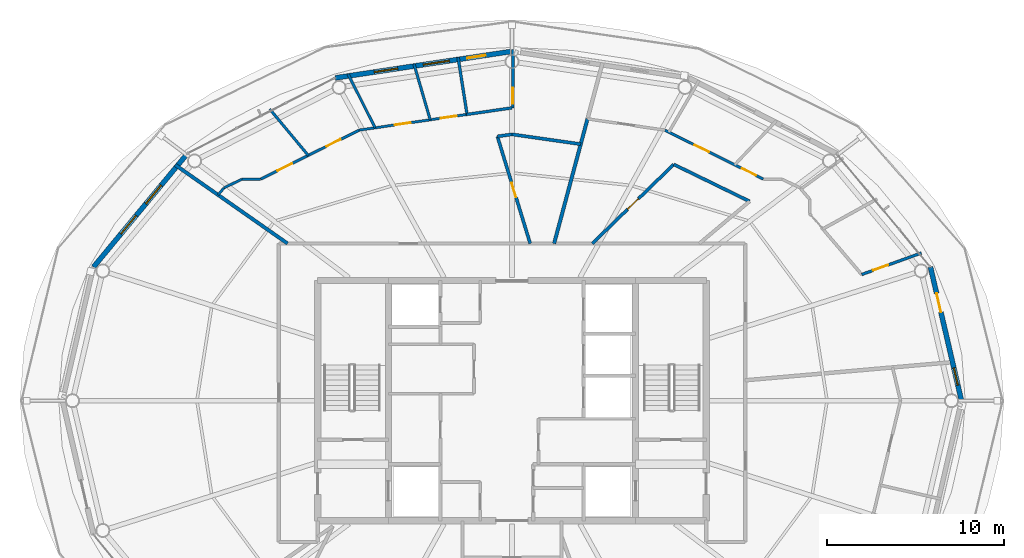
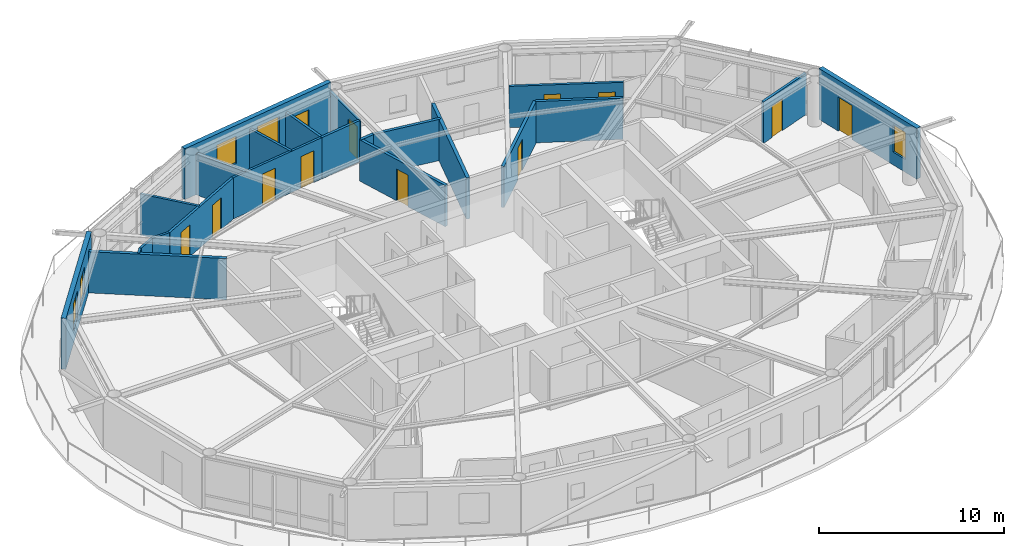
# One storey, part 19 of 23: 23 walls, 12 doors, 5 windows, 17 openings.
"""IFC4 building model written with IfcOpenShell, lengths in metres."""

from ifc_helpers import new_model, si_unit, direction, frame, frame_2d, origin, place, context, subcontext, project, spatial, rectangle, extrude, material, layer, layer_set, type_object, element, fill, save


model = new_model("IFC4")

# Units and contexts
model_context = context("Model", 3, precision=1e-05, world=origin(), true_north=direction((0.0, 1.0)))
body_context = subcontext(model_context, "Body", "Model", "MODEL_VIEW")
ifc_project = project(units=[si_unit("LENGTHUNIT", "METRE"), si_unit("AREAUNIT", "SQUARE_METRE"), si_unit("VOLUMEUNIT", "CUBIC_METRE"), si_unit("PLANEANGLEUNIT", "RADIAN"), si_unit("MASSUNIT", "GRAM", prefix="KILO")], contexts=[model_context])

# Site, building, storey
site_placement = place(None, origin())
site = spatial("IfcSite", under=ifc_project, at=site_placement, CompositionType="ELEMENT")
building_placement = place(site_placement, origin())
building = spatial("IfcBuilding", under=site, at=building_placement, Name="Sarneth Arch Tower", CompositionType="ELEMENT")
storey_placement = place(building_placement, frame((0.0, 0.0, 273.0)))
storey = spatial("IfcBuildingStorey", under=building, at=storey_placement, Name="L70", CompositionType="ELEMENT", Elevation=273.0)

# Wall, openings, door, window
ifc_material_1 = material(Name="Extruded terracotta rainscreen on Concrete C40/50 backing", Category="masonry")
ifc_layer_1 = layer(ifc_material_1, 0.280029296875)
ifc_layer_set_1 = layer_set([ifc_layer_1], Name="Extruded terracotta rainscreen on Concrete C40/50 backing")
wall_type_1 = type_object("IfcWallType", Name="WALL-EXT-TERRA-280", PredefinedType="SOLIDWALL", material=ifc_layer_set_1)
wall_1_placement = place(storey_placement, frame((73.447021484375, 42.0, 0.0), z_axis=(0.0, 0.0, 1.0), x_axis=(-0.225635078214, 0.974211892495, 0.0)))
wall_1 = element("IfcWall", 1, at=wall_1_placement, inside=storey, type_object=wall_type_1, Name="L70 Terracotta perimeter wall 01", PredefinedType="SOLIDWALL", context=body_context, shape_type="SweptSolid", body=[
    extrude(rectangle(XDim=7.77001953125, YDim=0.280029296875, at=frame_2d((3.885009765625, 0.0))), origin(), (0.0, 0.0, 1.0), 3.3701171875),
])
opening_1_placement = place(wall_1_placement, frame((5.14208984375, 0.0, 0.0)))
opening_1 = element("IfcOpeningElement", 2, at=opening_1_placement, cuts=wall_1, Name="Opening BD-3", PredefinedType="OPENING", context=body_context, shape_type="SweptSolid", body=[
    extrude(rectangle(XDim=1.10009765625, YDim=2.25, at=frame_2d((0.550048828125, 1.125))), frame((0.0, 0.14990234375, 0.0), z_axis=(0.0, -1.0, 0.0), x_axis=(1.0, 0.0, 0.0)), (0.0, 0.0, 1.0), 0.300048828125),
])
opening_2_placement = place(wall_1_placement, frame((0.9072265625, 0.0, 0.85009765625)))
opening_2 = element("IfcOpeningElement", 3, at=opening_2_placement, cuts=wall_1, Name="Opening W-11", PredefinedType="OPENING", context=body_context, shape_type="SweptSolid", body=[
    extrude(rectangle(XDim=1.0, YDim=1.800048828125, at=frame_2d((0.5, 0.89990234375))), frame((0.0, 0.14990234375, 0.0), z_axis=(0.0, -1.0, 0.0), x_axis=(1.0, 0.0, 0.0)), (0.0, 0.0, 1.0), 0.300048828125),
])
ifc_material_2 = material(Name="Thermally broken Aluminium 6063-T6 and laminated safety glass", Category="aluminium")
door_type_1 = type_object("IfcDoorType", Name="DR-BALC-GLZ-1100", OperationType="SINGLE_SWING_LEFT", PredefinedType="DOOR", material=ifc_material_2)
door_1_placement = place(opening_1_placement, origin())
door_1 = element("IfcDoor", 4, at=door_1_placement, inside=storey, type_object=door_type_1, Name="L70 Balcony glazed door 01", OperationType="SINGLE_SWING_LEFT", OverallHeight=2.25, OverallWidth=1.10009765625, PredefinedType="DOOR", context=body_context, shape_type="SweptSolid", body=[
    extrude(rectangle(XDim=1.10009765625, YDim=2.25, at=frame_2d((0.550048828125, 1.125))), frame((0.0, 0.02490234375, 0.0), z_axis=(0.0, -1.0, 0.0), x_axis=(1.0, 0.0, 0.0)), (0.0, 0.0, 1.0), 0.050048828125),
])
fill(opening_1, door_1)
ifc_material_3 = material(Name="Thermally broken Aluminium 6063-T6 and low-e laminated IGU", Category="aluminium")
window_type_1 = type_object("IfcWindowType", Name="WIN-TWR-1000x1800", PartitioningType="SINGLE_PANEL", PredefinedType="WINDOW", material=ifc_material_3)
window_1_placement = place(opening_2_placement, origin())
window_1 = element("IfcWindow", 5, at=window_1_placement, inside=storey, type_object=window_type_1, Name="L70 Dwelling bedroom window 05", OverallHeight=1.800048828125, OverallWidth=1.0, PartitioningType="SINGLE_PANEL", PredefinedType="WINDOW", context=body_context, shape_type="SweptSolid", body=[
    extrude(rectangle(XDim=1.0, YDim=1.800048828125, at=frame_2d((0.5, 0.89990234375))), frame((0.0, 0.030029296875, 0.0), z_axis=(0.0, -1.0, 0.0), x_axis=(1.0, 0.0, 0.0)), (0.0, 0.0, 1.0), 0.06005859375),
])
fill(opening_2, window_1)

# Wall, openings, door, windows
wall_2_placement = place(storey_placement, frame((48.0, 61.780029296875, 0.0), z_axis=(0.0, 0.0, 1.0), x_axis=(-0.988882522213, -0.148698881169, 0.0)))
wall_2 = element("IfcWall", 6, at=wall_2_placement, inside=storey, type_object=wall_type_1, Name="L70 Terracotta perimeter wall 05", PredefinedType="SOLIDWALL", context=body_context, shape_type="SweptSolid", body=[
    extrude(rectangle(XDim=10.125244140625, YDim=0.280029296875, at=frame_2d((5.0625, 0.0))), origin(), (0.0, 0.0, 1.0), 3.3701171875),
])
opening_3_placement = place(wall_2_placement, frame((1.51611328125, 0.0, 0.0)))
opening_3 = element("IfcOpeningElement", 7, at=opening_3_placement, cuts=wall_2, Name="Opening BD-4", PredefinedType="OPENING", context=body_context, shape_type="SweptSolid", body=[
    extrude(rectangle(XDim=1.050048828125, YDim=2.199951171875, at=frame_2d((0.52490234375, 1.10009765625))), frame((0.0, 0.14990234375, 0.0), z_axis=(0.0, -1.0, 0.0), x_axis=(1.0, 0.0, 0.0)), (0.0, 0.0, 1.0), 0.300048828125),
])
opening_4_placement = place(wall_2_placement, frame((3.58251953125, 0.0, 0.85009765625)))
opening_4 = element("IfcOpeningElement", 8, at=opening_4_placement, cuts=wall_2, Name="Opening W-07", PredefinedType="OPENING", context=body_context, shape_type="SweptSolid", body=[
    extrude(rectangle(XDim=1.5, YDim=1.800048828125, at=frame_2d((0.75, 0.89990234375))), frame((0.0, 0.14990234375, 0.0), z_axis=(0.0, -1.0, 0.0), x_axis=(1.0, 0.0, 0.0)), (0.0, 0.0, 1.0), 0.300048828125),
])
opening_5_placement = place(wall_2_placement, frame((6.540771484375, 0.0, 0.85009765625)))
opening_5 = element("IfcOpeningElement", 9, at=opening_5_placement, cuts=wall_2, Name="Opening W-08", PredefinedType="OPENING", context=body_context, shape_type="SweptSolid", body=[
    extrude(rectangle(XDim=1.35009765625, YDim=1.800048828125, at=frame_2d((0.675048828125, 0.89990234375))), frame((0.0, 0.14990234375, 0.0), z_axis=(0.0, -1.0, 0.0), x_axis=(1.0, 0.0, 0.0)), (0.0, 0.0, 1.0), 0.300048828125),
])
ifc_material_4 = material(Name="Thermally broken Aluminium 6063-T6 and laminated safety glass", Category="aluminium")
door_type_2 = type_object("IfcDoorType", Name="DR-BALC-GLZ-1050", OperationType="SINGLE_SWING_RIGHT", PredefinedType="DOOR", material=ifc_material_4)
door_2_placement = place(opening_3_placement, origin())
door_2 = element("IfcDoor", 10, at=door_2_placement, inside=storey, type_object=door_type_2, Name="L70 Balcony glazed door 05", OperationType="SINGLE_SWING_RIGHT", OverallHeight=2.199951171875, OverallWidth=1.050048828125, PredefinedType="DOOR", context=body_context, shape_type="SweptSolid", body=[
    extrude(rectangle(XDim=1.050048828125, YDim=2.199951171875, at=frame_2d((0.52490234375, 1.10009765625))), frame((0.0, 0.02490234375, 0.0), z_axis=(0.0, -1.0, 0.0), x_axis=(1.0, 0.0, 0.0)), (0.0, 0.0, 1.0), 0.050048828125),
])
fill(opening_3, door_2)
ifc_material_5 = material(Name="Thermally broken Aluminium 6063-T6 and low-e laminated IGU", Category="aluminium")
window_type_2 = type_object("IfcWindowType", Name="WIN-TWR-1350x1800", PartitioningType="SINGLE_PANEL", PredefinedType="WINDOW", material=ifc_material_5)
window_2_placement = place(opening_5_placement, origin())
window_2 = element("IfcWindow", 11, at=window_2_placement, inside=storey, type_object=window_type_2, Name="L70 Exterior window 05B", OverallHeight=1.800048828125, OverallWidth=1.35009765625, PartitioningType="SINGLE_PANEL", PredefinedType="WINDOW", context=body_context, shape_type="SweptSolid", body=[
    extrude(rectangle(XDim=1.35009765625, YDim=1.800048828125, at=frame_2d((0.675048828125, 0.89990234375))), frame((0.0, 0.030029296875, 0.0), z_axis=(0.0, -1.0, 0.0), x_axis=(1.0, 0.0, 0.0)), (0.0, 0.0, 1.0), 0.06005859375),
])
fill(opening_5, window_2)
ifc_material_6 = material(Name="Thermally broken Aluminium 6063-T6 and low-e laminated IGU", Category="aluminium")
window_type_3 = type_object("IfcWindowType", Name="WIN-TWR-1500x1800", PartitioningType="SINGLE_PANEL", PredefinedType="WINDOW", material=ifc_material_6)
window_3_placement = place(opening_4_placement, origin())
window_3 = element("IfcWindow", 12, at=window_3_placement, inside=storey, type_object=window_type_3, Name="L70 Exterior window 05A", OverallHeight=1.800048828125, OverallWidth=1.5, PartitioningType="SINGLE_PANEL", PredefinedType="WINDOW", context=body_context, shape_type="SweptSolid", body=[
    extrude(rectangle(XDim=1.5, YDim=1.800048828125, at=frame_2d((0.75, 0.89990234375))), frame((0.0, 0.030029296875, 0.0), z_axis=(0.0, -1.0, 0.0), x_axis=(1.0, 0.0, 0.0)), (0.0, 0.0, 1.0), 0.06005859375),
])
fill(opening_4, window_3)

# Wall, openings, windows
wall_3_placement = place(storey_placement, frame((29.617431640625, 55.986572265625, 0.0), z_axis=(0.0, 0.0, 1.0), x_axis=(-0.63761509934, -0.770355103243, 0.0)))
wall_3 = element("IfcWall", 13, at=wall_3_placement, inside=storey, type_object=wall_type_1, Name="L70 Terracotta perimeter wall 07", PredefinedType="SOLIDWALL", context=body_context, shape_type="SweptSolid", body=[
    extrude(rectangle(XDim=8.329833984375, YDim=0.280029296875, at=frame_2d((4.1650390625, 0.0))), origin(), (0.0, 0.0, 1.0), 3.3701171875),
])
opening_6_placement = place(wall_3_placement, frame((2.326416015625, 0.0, 0.85009765625)))
opening_6 = element("IfcOpeningElement", 14, at=opening_6_placement, cuts=wall_3, Name="Opening W-08", PredefinedType="OPENING", context=body_context, shape_type="SweptSolid", body=[
    extrude(rectangle(XDim=1.35009765625, YDim=1.800048828125, at=frame_2d((0.675048828125, 0.89990234375))), frame((0.0, 0.14990234375, 0.0), z_axis=(0.0, -1.0, 0.0), x_axis=(1.0, 0.0, 0.0)), (0.0, 0.0, 1.0), 0.300048828125),
])
opening_7_placement = place(wall_3_placement, frame((4.54638671875, 0.0, 0.85009765625)))
opening_7 = element("IfcOpeningElement", 15, at=opening_7_placement, cuts=wall_3, Name="Opening W-08", PredefinedType="OPENING", context=body_context, shape_type="SweptSolid", body=[
    extrude(rectangle(XDim=1.35009765625, YDim=1.800048828125, at=frame_2d((0.675048828125, 0.89990234375))), frame((0.0, 0.14990234375, 0.0), z_axis=(0.0, -1.0, 0.0), x_axis=(1.0, 0.0, 0.0)), (0.0, 0.0, 1.0), 0.300048828125),
])
window_4_placement = place(opening_6_placement, origin())
window_4 = element("IfcWindow", 16, at=window_4_placement, inside=storey, type_object=window_type_2, Name="L70 Exterior window 07A", OverallHeight=1.800048828125, OverallWidth=1.35009765625, PartitioningType="SINGLE_PANEL", PredefinedType="WINDOW", context=body_context, shape_type="SweptSolid", body=[
    extrude(rectangle(XDim=1.35009765625, YDim=1.800048828125, at=frame_2d((0.675048828125, 0.89990234375))), frame((0.0, 0.030029296875, 0.0), z_axis=(0.0, -1.0, 0.0), x_axis=(1.0, 0.0, 0.0)), (0.0, 0.0, 1.0), 0.06005859375),
])
fill(opening_6, window_4)
window_5_placement = place(opening_7_placement, origin())
window_5 = element("IfcWindow", 17, at=window_5_placement, inside=storey, type_object=window_type_2, Name="L70 Exterior window 07B", OverallHeight=1.800048828125, OverallWidth=1.35009765625, PartitioningType="SINGLE_PANEL", PredefinedType="WINDOW", context=body_context, shape_type="SweptSolid", body=[
    extrude(rectangle(XDim=1.35009765625, YDim=1.800048828125, at=frame_2d((0.675048828125, 0.89990234375))), frame((0.0, 0.030029296875, 0.0), z_axis=(0.0, -1.0, 0.0), x_axis=(1.0, 0.0, 0.0)), (0.0, 0.0, 1.0), 0.06005859375),
])
fill(opening_7, window_5)

# Wall, openings, doors
ifc_material_7 = material(Name="Apartment internal stud partition", Category="gypsum")
ifc_layer_2 = layer(ifc_material_7, 0.139892578125)
ifc_layer_set_2 = layer_set([ifc_layer_2], Name="Apartment internal stud partition")
wall_type_2 = type_object("IfcWallType", Name="WALL-PART-140", PredefinedType="PARTITIONING", material=ifc_layer_set_2)
wall_4_placement = place(storey_placement, frame((45.486572265625, 58.21337890625, 0.0), z_axis=(0.0, 0.0, 1.0), x_axis=(-0.98953543847, -0.144290041276, 0.0)))
wall_4 = element("IfcWall", 18, at=wall_4_placement, inside=storey, type_object=wall_type_2, Name="L70 Interior partition W-L70-TP-048", PredefinedType="PARTITIONING", context=body_context, shape_type="SweptSolid", body=[
    extrude(rectangle(XDim=6.206298828125, YDim=0.139892578125, at=frame_2d((3.10302734375, 0.0))), origin(), (0.0, 0.0, 1.0), 2.72998046875),
])
opening_8_placement = place(wall_4_placement, frame((3.266845703125, 0.0, 0.0)))
opening_8 = element("IfcOpeningElement", 19, at=opening_8_placement, cuts=wall_4, Name="Opening ID-01", PredefinedType="OPENING", context=body_context, shape_type="SweptSolid", body=[
    extrude(rectangle(XDim=0.89990234375, YDim=2.10009765625, at=frame_2d((0.449951171875, 1.050048828125))), frame((0.0, 0.079833984375, 0.0), z_axis=(0.0, -1.0, 0.0), x_axis=(1.0, 0.0, 0.0)), (0.0, 0.0, 1.0), 0.159912109375),
])
opening_9_placement = place(wall_4_placement, frame((0.635986328125, 0.0, 0.0)))
opening_9 = element("IfcOpeningElement", 20, at=opening_9_placement, cuts=wall_4, Name="Opening ID-01", PredefinedType="OPENING", context=body_context, shape_type="SweptSolid", body=[
    extrude(rectangle(XDim=0.89990234375, YDim=2.10009765625, at=frame_2d((0.449951171875, 1.050048828125))), frame((0.0, 0.079833984375, 0.0), z_axis=(0.0, -1.0, 0.0), x_axis=(1.0, 0.0, 0.0)), (0.0, 0.0, 1.0), 0.159912109375),
])
ifc_material_8 = material(Name="Engineered hardwood flush door", Category="wood")
door_type_3 = type_object("IfcDoorType", Name="DR-INT-900", OperationType="SINGLE_SWING_LEFT", PredefinedType="DOOR", material=ifc_material_8)
door_3_placement = place(opening_8_placement, origin())
door_3 = element("IfcDoor", 21, at=door_3_placement, inside=storey, type_object=door_type_3, Name="L70 Interior door DR-L70-U2-BED1", OperationType="SINGLE_SWING_RIGHT", OverallHeight=2.10009765625, OverallWidth=0.89990234375, PredefinedType="DOOR", context=body_context, shape_type="SweptSolid", body=[
    extrude(rectangle(XDim=0.89990234375, YDim=2.10009765625, at=frame_2d((0.449951171875, 1.050048828125))), frame((0.0, 0.02490234375, 0.0), z_axis=(0.0, -1.0, 0.0), x_axis=(1.0, 0.0, 0.0)), (0.0, 0.0, 1.0), 0.050048828125),
])
fill(opening_8, door_3)
door_4_placement = place(opening_9_placement, origin())
door_4 = element("IfcDoor", 22, at=door_4_placement, inside=storey, type_object=door_type_3, Name="L70 Interior door DR-L70-U2-STD", OperationType="SINGLE_SWING_RIGHT", OverallHeight=2.10009765625, OverallWidth=0.89990234375, PredefinedType="DOOR", context=body_context, shape_type="SweptSolid", body=[
    extrude(rectangle(XDim=0.89990234375, YDim=2.10009765625, at=frame_2d((0.449951171875, 1.050048828125))), frame((0.0, 0.02490234375, 0.0), z_axis=(0.0, -1.0, 0.0), x_axis=(1.0, 0.0, 0.0)), (0.0, 0.0, 1.0), 0.050048828125),
])
fill(opening_9, door_4)

# Walls
wall_5_placement = place(storey_placement, frame((31.68896484375, 54.0419921875, 0.0), z_axis=(0.0, 0.0, 1.0), x_axis=(0.895409226325, 0.445244109912, 0.0)))
element("IfcWall", 23, at=wall_5_placement, inside=storey, type_object=wall_type_2, Name="L70 Interior partition W-L70-TP-052", PredefinedType="PARTITIONING", context=body_context, shape_type="SweptSolid", body=[
    extrude(rectangle(XDim=1.14111328125, YDim=0.139892578125, at=frame_2d((0.570556640625, 0.0))), origin(), (0.0, 0.0, 1.0), 2.72998046875),
])
wall_6_placement = place(storey_placement, frame((32.710693359375, 54.550048828125, 0.0), z_axis=(0.0, 0.0, 1.0), x_axis=(1.0, 0.0, 0.0)))
element("IfcWall", 24, at=wall_6_placement, inside=storey, type_object=wall_type_2, Name="L70 Interior partition W-L70-TP-053", PredefinedType="PARTITIONING", context=body_context, shape_type="SweptSolid", body=[
    extrude(rectangle(XDim=1.0625, YDim=0.139892578125, at=frame_2d((0.53125, 0.0))), origin(), (0.0, 0.0, 1.0), 2.72998046875),
])
wall_7_placement = place(storey_placement, frame((31.357421875, 53.6533203125, 0.0), z_axis=(0.0, 0.0, 1.0), x_axis=(0.648979151054, 0.76080619181, 0.0)))
element("IfcWall", 25, at=wall_7_placement, inside=storey, type_object=wall_type_2, Name="L70 Interior partition W-L70-TP-051", PredefinedType="PARTITIONING", context=body_context, shape_type="SweptSolid", body=[
    extrude(rectangle(XDim=0.510986328125, YDim=0.139892578125, at=frame_2d((0.25537109375, 0.0))), origin(), (0.0, 0.0, 1.0), 2.72998046875),
])

# Wall, openings, doors
ifc_material_9 = material(Name="Acoustic gypsum stud partition", Category="gypsum")
ifc_layer_3 = layer(ifc_material_9, 0.14990234375)
ifc_layer_set_3 = layer_set([ifc_layer_3], Name="Acoustic gypsum stud partition")
wall_type_3 = type_object("IfcWallType", Name="WALL-PART-150", PredefinedType="PARTITIONING", material=ifc_layer_set_3)
wall_8_placement = place(storey_placement, frame((56.65478515625, 57.318115234375, 0.0), z_axis=(0.0, 0.0, 1.0), x_axis=(0.895562239868, -0.444936258943, 0.0)))
wall_8 = element("IfcWall", 26, at=wall_8_placement, inside=storey, type_object=wall_type_3, Name="L70 Interior partition W-L70-TP-030", PredefinedType="PARTITIONING", context=body_context, shape_type="SweptSolid", body=[
    extrude(rectangle(XDim=6.221923828125, YDim=0.14990234375, at=frame_2d((3.11083984375, 0.0))), origin(), (0.0, 0.0, 1.0), 2.72998046875),
])
opening_10_placement = place(wall_8_placement, frame((1.8837890625, 0.0, 0.0)))
opening_10 = element("IfcOpeningElement", 27, at=opening_10_placement, cuts=wall_8, Name="Opening ID-01", PredefinedType="OPENING", context=body_context, shape_type="SweptSolid", body=[
    extrude(rectangle(XDim=0.89990234375, YDim=2.10009765625, at=frame_2d((0.449951171875, 1.050048828125))), frame((0.0, 0.0849609375, 0.0), z_axis=(0.0, -1.0, 0.0), x_axis=(1.0, 0.0, 0.0)), (0.0, 0.0, 1.0), 0.169921875),
])
opening_11_placement = place(wall_8_placement, frame((4.867919921875, 0.0, 0.0)))
opening_11 = element("IfcOpeningElement", 28, at=opening_11_placement, cuts=wall_8, Name="Opening ID-01", PredefinedType="OPENING", context=body_context, shape_type="SweptSolid", body=[
    extrude(rectangle(XDim=0.89990234375, YDim=2.10009765625, at=frame_2d((0.449951171875, 1.050048828125))), frame((0.0, 0.0849609375, 0.0), z_axis=(0.0, -1.0, 0.0), x_axis=(1.0, 0.0, 0.0)), (0.0, 0.0, 1.0), 0.169921875),
])
door_5_placement = place(opening_10_placement, origin())
door_5 = element("IfcDoor", 29, at=door_5_placement, inside=storey, type_object=door_type_3, Name="L70 Interior door DR-L70-U1-BED2", OperationType="SINGLE_SWING_RIGHT", OverallHeight=2.10009765625, OverallWidth=0.89990234375, PredefinedType="DOOR", context=body_context, shape_type="SweptSolid", body=[
    extrude(rectangle(XDim=0.89990234375, YDim=2.10009765625, at=frame_2d((0.449951171875, 1.050048828125))), frame((0.0, 0.02490234375, 0.0), z_axis=(0.0, -1.0, 0.0), x_axis=(1.0, 0.0, 0.0)), (0.0, 0.0, 1.0), 0.050048828125),
])
fill(opening_10, door_5)
door_6_placement = place(opening_11_placement, origin())
door_6 = element("IfcDoor", 30, at=door_6_placement, inside=storey, type_object=door_type_3, Name="L70 Interior door DR-L70-U1-BED1", OperationType="SINGLE_SWING_LEFT", OverallHeight=2.10009765625, OverallWidth=0.89990234375, PredefinedType="DOOR", context=body_context, shape_type="SweptSolid", body=[
    extrude(rectangle(XDim=0.89990234375, YDim=2.10009765625, at=frame_2d((0.449951171875, 1.050048828125))), frame((0.0, 0.02490234375, 0.0), z_axis=(0.0, -1.0, 0.0), x_axis=(1.0, 0.0, 0.0)), (0.0, 0.0, 1.0), 0.050048828125),
])
fill(opening_11, door_6)

# Walls
wall_9_placement = place(storey_placement, frame((40.248046875, 57.44970703125, 0.0), z_axis=(0.0, 0.0, 1.0), x_axis=(-0.448472423908, 0.893796668708, 0.0)))
element("IfcWall", 31, at=wall_9_placement, inside=storey, type_object=wall_type_3, Name="L70 Interior partition W-L70-TP-058", PredefinedType="PARTITIONING", context=body_context, shape_type="SweptSolid", body=[
    extrude(rectangle(XDim=3.412109375, YDim=0.14990234375, at=frame_2d((1.7060546875, 0.0))), origin(), (0.0, 0.0, 1.0), 2.72998046875),
])
wall_10_placement = place(storey_placement, frame((36.464599609375, 55.886962890625, 0.0), z_axis=(0.0, 0.0, 1.0), x_axis=(-0.638979285107, 0.769223942168, 0.0)))
element("IfcWall", 32, at=wall_10_placement, inside=storey, type_object=wall_type_3, Name="L70 Interior partition W-L70-TP-059", PredefinedType="PARTITIONING", context=body_context, shape_type="SweptSolid", body=[
    extrude(rectangle(XDim=3.40966796875, YDim=0.14990234375, at=frame_2d((1.704833984375, 0.0))), origin(), (0.0, 0.0, 1.0), 2.72998046875),
])
wall_11_placement = place(storey_placement, frame((42.44873046875, 61.0654296875, 0.0), z_axis=(0.0, 0.0, 1.0), x_axis=(0.279527209814, -0.960137770829, 0.0)))
element("IfcWall", 33, at=wall_11_placement, inside=storey, type_object=wall_type_3, Name="L70 Interior partition W-L70-TP-057", PredefinedType="PARTITIONING", context=body_context, shape_type="SweptSolid", body=[
    extrude(rectangle(XDim=3.291748046875, YDim=0.14990234375, at=frame_2d((1.64599609375, 0.0))), origin(), (0.0, 0.0, 1.0), 2.72998046875),
])

# Wall, openings, doors
wall_12_placement = place(storey_placement, frame((33.773193359375, 54.550048828125, 0.0), z_axis=(0.0, 0.0, 1.0), x_axis=(0.895593510097, 0.44487331306, 0.0)))
wall_12 = element("IfcWall", 34, at=wall_12_placement, inside=storey, type_object=wall_type_3, Name="L70 Interior partition W-L70-TP-049", PredefinedType="PARTITIONING", context=body_context, shape_type="SweptSolid", body=[
    extrude(rectangle(XDim=6.2216796875, YDim=0.14990234375, at=frame_2d((3.11083984375, 0.0))), origin(), (0.0, 0.0, 1.0), 2.72998046875),
])
opening_12_placement = place(wall_12_placement, frame((4.14697265625, 0.0, 0.0)))
opening_12 = element("IfcOpeningElement", 35, at=opening_12_placement, cuts=wall_12, Name="Opening ID-01", PredefinedType="OPENING", context=body_context, shape_type="SweptSolid", body=[
    extrude(rectangle(XDim=0.89990234375, YDim=2.10009765625, at=frame_2d((0.449951171875, 1.050048828125))), frame((0.0, 0.0849609375, 0.0), z_axis=(0.0, -1.0, 0.0), x_axis=(1.0, 0.0, 0.0)), (0.0, 0.0, 1.0), 0.169921875),
])
opening_13_placement = place(wall_12_placement, frame((1.069091796875, 0.0, 0.0)))
opening_13 = element("IfcOpeningElement", 36, at=opening_13_placement, cuts=wall_12, Name="Opening ID-01", PredefinedType="OPENING", context=body_context, shape_type="SweptSolid", body=[
    extrude(rectangle(XDim=0.89990234375, YDim=2.10009765625, at=frame_2d((0.449951171875, 1.050048828125))), frame((0.0, 0.0849609375, 0.0), z_axis=(0.0, -1.0, 0.0), x_axis=(1.0, 0.0, 0.0)), (0.0, 0.0, 1.0), 0.169921875),
])
door_7_placement = place(opening_12_placement, origin())
door_7 = element("IfcDoor", 37, at=door_7_placement, inside=storey, type_object=door_type_3, Name="L70 Interior door DR-L70-U2-BED2", OperationType="SINGLE_SWING_LEFT", OverallHeight=2.10009765625, OverallWidth=0.89990234375, PredefinedType="DOOR", context=body_context, shape_type="SweptSolid", body=[
    extrude(rectangle(XDim=0.89990234375, YDim=2.10009765625, at=frame_2d((0.449951171875, 1.050048828125))), frame((0.0, 0.02490234375, 0.0), z_axis=(0.0, -1.0, 0.0), x_axis=(1.0, 0.0, 0.0)), (0.0, 0.0, 1.0), 0.050048828125),
])
fill(opening_12, door_7)
door_8_placement = place(opening_13_placement, origin())
door_8 = element("IfcDoor", 38, at=door_8_placement, inside=storey, type_object=door_type_3, Name="L70 Interior door DR-L70-U2-BED3", OperationType="SINGLE_SWING_LEFT", OverallHeight=2.10009765625, OverallWidth=0.89990234375, PredefinedType="DOOR", context=body_context, shape_type="SweptSolid", body=[
    extrude(rectangle(XDim=0.89990234375, YDim=2.10009765625, at=frame_2d((0.449951171875, 1.050048828125))), frame((0.0, 0.02490234375, 0.0), z_axis=(0.0, -1.0, 0.0), x_axis=(1.0, 0.0, 0.0)), (0.0, 0.0, 1.0), 0.050048828125),
])
fill(opening_13, door_8)

# Wall, opening, door
ifc_material_10 = material(Name="Kitchen wet service chase wall", Category="gypsum")
ifc_layer_4 = layer(ifc_material_10, 0.159912109375)
ifc_layer_set_4 = layer_set([ifc_layer_4], Name="Kitchen wet service chase wall")
wall_type_4 = type_object("IfcWallType", Name="WALL-PLUMB-160", PredefinedType="PLUMBINGWALL", material=ifc_layer_set_4)
wall_13_placement = place(storey_placement, frame((71.181884765625, 50.364990234375, 0.0), z_axis=(0.0, 0.0, 1.0), x_axis=(-0.940646622833, -0.339387582203, 0.0)))
wall_13 = element("IfcWall", 39, at=wall_13_placement, inside=storey, type_object=wall_type_4, Name="L70 Interior partition W-L70-TP-022", PredefinedType="PLUMBINGWALL", context=body_context, shape_type="SweptSolid", body=[
    extrude(rectangle(XDim=3.5966796875, YDim=0.159912109375, at=frame_2d((1.79833984375, 0.0))), origin(), (0.0, 0.0, 1.0), 2.72998046875),
])
opening_14_placement = place(wall_13_placement, frame((2.00830078125, 0.0, 0.0)))
opening_14 = element("IfcOpeningElement", 40, at=opening_14_placement, cuts=wall_13, Name="Opening ID-01", PredefinedType="OPENING", context=body_context, shape_type="SweptSolid", body=[
    extrude(rectangle(XDim=0.89990234375, YDim=2.10009765625, at=frame_2d((0.449951171875, 1.050048828125))), frame((0.0, 0.08984375, 0.0), z_axis=(0.0, -1.0, 0.0), x_axis=(1.0, 0.0, 0.0)), (0.0, 0.0, 1.0), 0.179931640625),
])
door_9_placement = place(opening_14_placement, origin())
door_9 = element("IfcDoor", 41, at=door_9_placement, inside=storey, type_object=door_type_3, Name="L70 Interior door DR-L70-U1-KIT", OperationType="SINGLE_SWING_RIGHT", OverallHeight=2.10009765625, OverallWidth=0.89990234375, PredefinedType="DOOR", context=body_context, shape_type="SweptSolid", body=[
    extrude(rectangle(XDim=0.89990234375, YDim=2.10009765625, at=frame_2d((0.449951171875, 1.050048828125))), frame((0.0, 0.02490234375, 0.0), z_axis=(0.0, -1.0, 0.0), x_axis=(1.0, 0.0, 0.0)), (0.0, 0.0, 1.0), 0.050048828125),
])
fill(opening_14, door_9)

wall_14_placement = place(storey_placement, frame((48.0458984375, 58.5732421875, 0.0), z_axis=(0.0, 0.0, 1.0), x_axis=(0.002721979175, 0.999996295408, 0.0)))
wall_14 = element("IfcWall", 42, at=wall_14_placement, inside=storey, type_object=wall_type_4, Name="L70 Interior partition W-L70-TP-044", PredefinedType="PLUMBINGWALL", context=body_context, shape_type="SweptSolid", body=[
    extrude(rectangle(XDim=3.318603515625, YDim=0.159912109375, at=frame_2d((1.6591796875, 0.0))), origin(), (0.0, 0.0, 1.0), 2.72998046875),
])
opening_15_placement = place(wall_14_placement, frame((0.249267578125, 0.0, 0.0)))
opening_15 = element("IfcOpeningElement", 43, at=opening_15_placement, cuts=wall_14, Name="Opening ID-01", PredefinedType="OPENING", context=body_context, shape_type="SweptSolid", body=[
    extrude(rectangle(XDim=0.89990234375, YDim=2.10009765625, at=frame_2d((0.449951171875, 1.050048828125))), frame((0.0, 0.08984375, 0.0), z_axis=(0.0, -1.0, 0.0), x_axis=(1.0, 0.0, 0.0)), (0.0, 0.0, 1.0), 0.179931640625),
])
door_10_placement = place(opening_15_placement, origin())
door_10 = element("IfcDoor", 44, at=door_10_placement, inside=storey, type_object=door_type_3, Name="L70 Interior door DR-L70-U2-KIT", OperationType="SINGLE_SWING_LEFT", OverallHeight=2.10009765625, OverallWidth=0.89990234375, PredefinedType="DOOR", context=body_context, shape_type="SweptSolid", body=[
    extrude(rectangle(XDim=0.89990234375, YDim=2.10009765625, at=frame_2d((0.449951171875, 1.050048828125))), frame((0.0, 0.02490234375, 0.0), z_axis=(0.0, -1.0, 0.0), x_axis=(1.0, 0.0, 0.0)), (0.0, 0.0, 1.0), 0.050048828125),
])
fill(opening_15, door_10)

# Walls
wall_15_placement = place(storey_placement, frame((45.454833984375, 58.208984375, 0.0), z_axis=(0.0, 0.0, 1.0), x_axis=(-0.155161914185, 0.987889052671, 0.0)))
element("IfcWall", 45, at=wall_15_placement, inside=storey, type_object=wall_type_4, Name="L70 Interior partition W-L70-TP-056", PredefinedType="PLUMBINGWALL", context=body_context, shape_type="SweptSolid", body=[
    extrude(rectangle(XDim=3.272705078125, YDim=0.159912109375, at=frame_2d((1.63623046875, 0.0))), origin(), (0.0, 0.0, 1.0), 2.72998046875),
])
wall_16_placement = place(storey_placement, frame((45.423095703125, 58.204345703125, 0.0), z_axis=(0.0, 0.0, 1.0), x_axis=(0.989536606461, 0.144282031013, 0.0)))
element("IfcWall", 46, at=wall_16_placement, inside=storey, type_object=wall_type_4, Name="L70 Interior partition W-L70-TP-043", PredefinedType="PLUMBINGWALL", context=body_context, shape_type="SweptSolid", body=[
    extrude(rectangle(XDim=2.604248046875, YDim=0.159912109375, at=frame_2d((1.30224609375, 0.0))), origin(), (0.0, 0.0, 1.0), 2.72998046875),
])

# Wall, opening, door
ifc_material_11 = material(Name="Moisture-resistant plumbing chase wall", Category="gypsum")
ifc_layer_5 = layer(ifc_material_11, 0.179931640625)
ifc_layer_set_5 = layer_set([ifc_layer_5], Name="Moisture-resistant plumbing chase wall")
wall_type_5 = type_object("IfcWallType", Name="WALL-PLUMB-180", PredefinedType="PLUMBINGWALL", material=ifc_layer_set_5)
wall_17_placement = place(storey_placement, frame((57.158935546875, 55.37890625, 0.0), z_axis=(0.0, 0.0, 1.0), x_axis=(-0.717176311368, -0.696891769511, 0.0)))
wall_17 = element("IfcWall", 47, at=wall_17_placement, inside=storey, type_object=wall_type_5, Name="L70 Interior partition W-L70-TP-026", PredefinedType="PLUMBINGWALL", context=body_context, shape_type="SweptSolid", body=[
    extrude(rectangle(XDim=6.427001953125, YDim=0.179931640625, at=frame_2d((3.21337890625, 0.0))), origin(), (0.0, 0.0, 1.0), 2.72998046875),
])
opening_16_placement = place(wall_17_placement, frame((2.78857421875, 0.0, 0.0)))
opening_16 = element("IfcOpeningElement", 48, at=opening_16_placement, cuts=wall_17, Name="Opening ID-02", PredefinedType="OPENING", context=body_context, shape_type="SweptSolid", body=[
    extrude(rectangle(XDim=0.85009765625, YDim=2.10009765625, at=frame_2d((0.425048828125, 1.050048828125))), frame((0.0, 0.099853515625, 0.0), z_axis=(0.0, -1.0, 0.0), x_axis=(1.0, 0.0, 0.0)), (0.0, 0.0, 1.0), 0.199951171875),
])
ifc_material_12 = material(Name="Moisture-resistant bathroom timber door", Category="wood")
door_type_4 = type_object("IfcDoorType", Name="DR-INT-850", OperationType="SINGLE_SWING_RIGHT", PredefinedType="DOOR", material=ifc_material_12)
door_11_placement = place(opening_16_placement, origin())
door_11 = element("IfcDoor", 49, at=door_11_placement, inside=storey, type_object=door_type_4, Name="L70 Interior door DR-L70-U1-BATH", OperationType="SINGLE_SWING_RIGHT", OverallHeight=2.10009765625, OverallWidth=0.85009765625, PredefinedType="DOOR", context=body_context, shape_type="SweptSolid", body=[
    extrude(rectangle(XDim=0.85009765625, YDim=2.10009765625, at=frame_2d((0.425048828125, 1.050048828125))), frame((0.0, 0.02490234375, 0.0), z_axis=(0.0, -1.0, 0.0), x_axis=(1.0, 0.0, 0.0)), (0.0, 0.0, 1.0), 0.050048828125),
])
fill(opening_16, door_11)

wall_18_placement = place(storey_placement, frame((47.174072265625, 56.9619140625, 0.0), z_axis=(0.0, 0.0, 1.0), x_axis=(0.29267834262, -0.956210953588, 0.0)))
wall_18 = element("IfcWall", 50, at=wall_18_placement, inside=storey, type_object=wall_type_5, Name="L70 Interior partition W-L70-TP-047", PredefinedType="PLUMBINGWALL", context=body_context, shape_type="SweptSolid", body=[
    extrude(rectangle(XDim=6.339599609375, YDim=0.179931640625, at=frame_2d((3.169921875, 0.0))), origin(), (0.0, 0.0, 1.0), 2.72998046875),
])
opening_17_placement = place(wall_18_placement, frame((2.74462890625, 0.0, 0.0)))
opening_17 = element("IfcOpeningElement", 51, at=opening_17_placement, cuts=wall_18, Name="Opening ID-02", PredefinedType="OPENING", context=body_context, shape_type="SweptSolid", body=[
    extrude(rectangle(XDim=0.85009765625, YDim=2.10009765625, at=frame_2d((0.425048828125, 1.050048828125))), frame((0.0, 0.099853515625, 0.0), z_axis=(0.0, -1.0, 0.0), x_axis=(1.0, 0.0, 0.0)), (0.0, 0.0, 1.0), 0.199951171875),
])
door_12_placement = place(opening_17_placement, origin())
door_12 = element("IfcDoor", 52, at=door_12_placement, inside=storey, type_object=door_type_4, Name="L70 Interior door DR-L70-U2-BATH", OperationType="SINGLE_SWING_LEFT", OverallHeight=2.10009765625, OverallWidth=0.85009765625, PredefinedType="DOOR", context=body_context, shape_type="SweptSolid", body=[
    extrude(rectangle(XDim=0.85009765625, YDim=2.10009765625, at=frame_2d((0.425048828125, 1.050048828125))), frame((0.0, 0.02490234375, 0.0), z_axis=(0.0, -1.0, 0.0), x_axis=(1.0, 0.0, 0.0)), (0.0, 0.0, 1.0), 0.050048828125),
])
fill(opening_17, door_12)

# Walls
wall_19_placement = place(storey_placement, frame((61.451416015625, 53.287109375, 0.0), z_axis=(0.0, 0.0, 1.0), x_axis=(-0.89894134286, 0.438069015221, 0.0)))
element("IfcWall", 53, at=wall_19_placement, inside=storey, type_object=wall_type_5, Name="L70 Interior partition W-L70-TP-025", PredefinedType="PLUMBINGWALL", context=body_context, shape_type="SweptSolid", body=[
    extrude(rectangle(XDim=4.775146484375, YDim=0.179931640625, at=frame_2d((2.3876953125, 0.0))), origin(), (0.0, 0.0, 1.0), 2.72998046875),
])
wall_20_placement = place(storey_placement, frame((51.8916015625, 56.523193359375, 0.0), z_axis=(0.0, 0.0, 1.0), x_axis=(-0.989915930408, 0.141656100205, 0.0)))
element("IfcWall", 54, at=wall_20_placement, inside=storey, type_object=wall_type_5, Name="L70 Interior partition W-L70-TP-045", PredefinedType="PLUMBINGWALL", context=body_context, shape_type="SweptSolid", body=[
    extrude(rectangle(XDim=3.93115234375, YDim=0.179931640625, at=frame_2d((1.965576171875, 0.0))), origin(), (0.0, 0.0, 1.0), 2.72998046875),
])
wall_21_placement = place(storey_placement, frame((48.0, 57.080078125, 0.0), z_axis=(0.0, 0.0, 1.0), x_axis=(-0.989920210862, -0.141626184469, 0.0)))
element("IfcWall", 55, at=wall_21_placement, inside=storey, type_object=wall_type_5, Name="L70 Interior partition W-L70-TP-046", PredefinedType="PLUMBINGWALL", context=body_context, shape_type="SweptSolid", body=[
    extrude(rectangle(XDim=0.834228515625, YDim=0.179931640625, at=frame_2d((0.4169921875, 0.0))), origin(), (0.0, 0.0, 1.0), 2.72998046875),
])
ifc_material_13 = material(Name="Double steel-stud acoustic drywall", Category="steel")
ifc_layer_6 = layer(ifc_material_13, 0.199951171875)
ifc_layer_set_6 = layer_set([ifc_layer_6], Name="Double steel-stud acoustic drywall")
wall_type_6 = type_object("IfcWallType", Name="WALL-UNIT-200", PredefinedType="PARTITIONING", material=ifc_layer_set_6)
wall_22_placement = place(storey_placement, frame((52.275390625, 57.95654296875, 0.0), z_axis=(0.0, 0.0, 1.0), x_axis=(-0.258793993177, -0.965932538584, 0.0)))
element("IfcWall", 56, at=wall_22_placement, inside=storey, type_object=wall_type_6, Name="L70 Interior partition W-L70-TP-034", PredefinedType="PARTITIONING", context=body_context, shape_type="SweptSolid", body=[
    extrude(rectangle(XDim=7.305419921875, YDim=0.199951171875, at=frame_2d((3.65283203125, 0.0))), origin(), (0.0, 0.0, 1.0), 2.72998046875),
])
wall_23_placement = place(storey_placement, frame((35.28955078125, 50.89990234375, 0.0), z_axis=(0.0, 0.0, 1.0), x_axis=(-0.819162424527, 0.573561611549, 0.0)))
element("IfcWall", 57, at=wall_23_placement, inside=storey, type_object=wall_type_6, Name="L70 Interior partition W-L70-TP-055", PredefinedType="PARTITIONING", context=body_context, shape_type="SweptSolid", body=[
    extrude(rectangle(XDim=7.757568359375, YDim=0.199951171875, at=frame_2d((3.87890625, 0.0))), origin(), (0.0, 0.0, 1.0), 2.72998046875),
])

save(model, "model.ifc")
